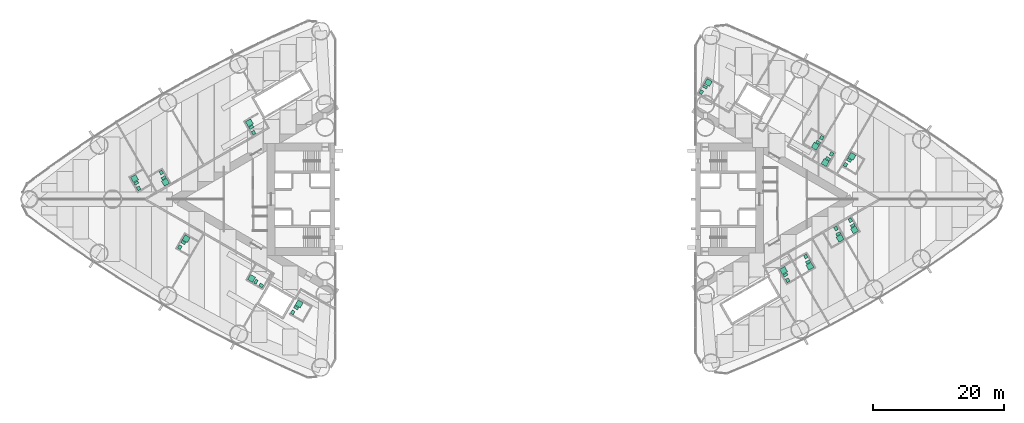
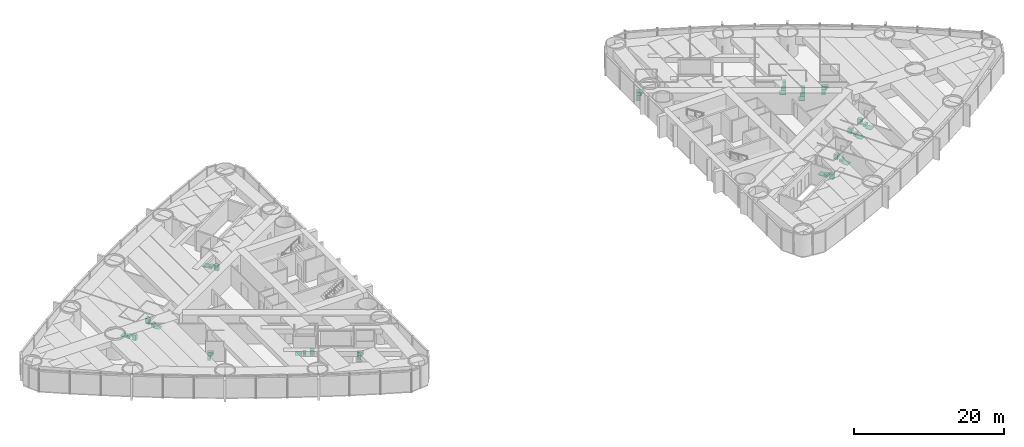
# One storey, part 19 of 19: 18 sanitary terminals.
"""IFC4 building model written with IfcOpenShell, lengths in metres."""

import ifcopenshell
import ifcopenshell.guid

model = None  # the IFC model being written
_history = None  # IfcOwnerHistory: only IFC2X3 demands one
_inside = {}  # id of a spatial element -> (the spatial element, [elements in it])
_under = {}  # id of a project, library or spatial element -> (it, [spatial elements below it])
_declared = {}  # id of a project -> (the project, [libraries it declares])
_typed = {}  # id of a type object -> (the type object, [elements of that type])
_made_of = {}  # id of a material, layer set ... -> (it, [elements and type objects made of it])


def new_model(schema):
    """Start an empty IFC model of exactly this schema.

    Asked for "IFC4X3", IfcOpenShell would pick the latest addendum, in which some entities
    have other attributes; the version numbers below select the first issue.
    IFC2X3 requires an IfcOwnerHistory on every rooted entity: one is made here for all.
    """
    global model, _history
    if schema == "IFC4X3":
        model = ifcopenshell.file(schema_version=(4, 3, 0, 0))
    else:
        model = ifcopenshell.file(schema=schema)
    _inside.clear()
    _under.clear()
    _declared.clear()
    _typed.clear()
    _made_of.clear()
    _history = None
    if model.schema == "IFC2X3":
        org = make("IfcOrganization", Name="unknown")
        user = make(
            "IfcPersonAndOrganization",
            ThePerson=make("IfcPerson", FamilyName="unknown"),
            TheOrganization=org,
        )
        app = make(
            "IfcApplication",
            ApplicationDeveloper=org,
            Version="unknown",
            ApplicationFullName="unknown",
            ApplicationIdentifier="unknown",
        )
        _history = make(
            "IfcOwnerHistory",
            OwningUser=user,
            OwningApplication=app,
            ChangeAction="ADDED",
            CreationDate=0,
        )
    return model


def make(cls, **values):
    """One entity of the class cls with the attributes given. An attribute that is None is left unset."""
    return model.create_entity(
        cls, **{name: value for name, value in values.items() if value is not None}
    )


def rooted(cls, **values):
    """An entity with a GlobalId (a new one), such as an element, a storey or a relation."""
    return make(cls, GlobalId=ifcopenshell.guid.new(), OwnerHistory=_history, **values)


def si_unit(unit_type, name, prefix=None):
    """IfcSIUnit, for example si_unit("LENGTHUNIT", "METRE", prefix="MILLI")."""
    return make("IfcSIUnit", UnitType=unit_type, Prefix=prefix, Name=name)


def assignment(units):
    """IfcUnitAssignment: the units of a project."""
    return None if units is None else make("IfcUnitAssignment", Units=units)


def point(xyz):
    """IfcCartesianPoint."""
    return None if xyz is None else make("IfcCartesianPoint", Coordinates=xyz)


def direction(xyz):
    """IfcDirection."""
    return None if xyz is None else make("IfcDirection", DirectionRatios=xyz)


def frame(location, z_axis=None, x_axis=None):
    """IfcAxis2Placement3D, a coordinate frame: its origin and axes. An axis left out is left unset."""
    return make(
        "IfcAxis2Placement3D",
        Location=point(location),
        Axis=direction(z_axis),
        RefDirection=direction(x_axis),
    )


def frame_2d(location, x_axis=None):
    """IfcAxis2Placement2D, a coordinate frame in the plane: its origin and x axis."""
    return make(
        "IfcAxis2Placement2D", Location=point(location), RefDirection=direction(x_axis)
    )


def origin():
    """The frame at (0, 0, 0) with its axes left unset."""
    return frame((0.0, 0.0, 0.0))


def origin_2d():
    """The frame at (0, 0) in the plane with its x axis left unset."""
    return frame_2d((0.0, 0.0))


def place(relative_to, where):
    """IfcLocalPlacement: puts the frame where relative to a parent placement (None: the world)."""
    return make(
        "IfcLocalPlacement", PlacementRelTo=relative_to, RelativePlacement=where
    )


def context(
    kind, dimensions, precision=None, world=None, true_north=None, identifier=None
):
    """IfcGeometricRepresentationContext, for example the 3D "Model" context."""
    return make(
        "IfcGeometricRepresentationContext",
        ContextIdentifier=identifier,
        ContextType=kind,
        CoordinateSpaceDimension=dimensions,
        Precision=precision,
        WorldCoordinateSystem=world,
        TrueNorth=true_north,
    )


def subcontext(parent, identifier, kind, view, scale=None):
    """IfcGeometricRepresentationSubContext, for example "Body" below "Model"."""
    return make(
        "IfcGeometricRepresentationSubContext",
        ContextIdentifier=identifier,
        ContextType=kind,
        ParentContext=parent,
        TargetScale=scale,
        TargetView=view,
    )


def project(units=None, contexts=None):
    """IfcProject with its units and contexts."""
    return rooted(
        "IfcProject",
        Name="project",
        RepresentationContexts=contexts,
        UnitsInContext=assignment(units),
    )


def spatial(cls, under=None, at=None, **own):
    """A site, building, storey or space (cls), placed at a placement, below another one or the project."""
    s = rooted(cls, ObjectPlacement=at, **own)
    if under is not None:
        _under.setdefault(under.id(), (under, []))[1].append(s)
    return s


def profile(cls, at=None, kind="AREA", **sizes):
    """A parametric profile (cls). Its sizes go by their IFC names, for example OverallWidth=200.0."""
    return make(cls, ProfileType=kind, Position=at, **sizes)


def rectangle(**sizes):
    """IfcRectangleProfileDef."""
    return profile("IfcRectangleProfileDef", **sizes)


def extrude(swept, where, along, depth):
    """IfcExtrudedAreaSolid: the profile swept, set in the frame where, extruded along a direction by depth."""
    return make(
        "IfcExtrudedAreaSolid",
        SweptArea=swept,
        Position=where,
        ExtrudedDirection=direction(along),
        Depth=depth,
    )


def shape(context_of_items, identifier, shape_type, items):
    """IfcShapeRepresentation: the items that make up one representation, for example the "Body"."""
    return make(
        "IfcShapeRepresentation",
        ContextOfItems=context_of_items,
        RepresentationIdentifier=identifier,
        RepresentationType=shape_type,
        Items=items,
    )


def material(Name=None, Category=None):
    """IfcMaterial."""
    return make("IfcMaterial", Name=Name, Category=Category)


def made_of(thing, what):
    """Note that an element or type object is made of a material, layer set ...; save() writes the relation."""
    if what is not None:
        _made_of.setdefault(what.id(), (what, []))[1].append(thing)
    return thing


def type_object(cls, material=None, **own):
    """A type object (cls), such as IfcWallType, which elements share."""
    return made_of(rooted(cls, **own), material)


def element(
    cls,
    number,
    at=None,
    inside=None,
    cuts=None,
    type_object=None,
    material=None,
    context=None,
    identifier="Body",
    shape_type=None,
    held_by="IfcProductDefinitionShape",
    body=None,
    shapes=None,
    **own,
):
    """One element of the class cls, such as IfcWall. Its Tag is "e" and its number.

    at: its placement. inside: the storey or other place that contains it. cuts: it is an
    opening in that element (IfcRelVoidsElement). A single representation is given by context,
    identifier, shape_type and body (its items); several are given by shapes. held_by: the class
    of the entity that holds the representations. save() writes the other relations.
    """
    e = rooted(cls, Tag="e%d" % number, ObjectPlacement=at, **own)
    if body is not None:
        shapes = [shape(context, identifier, shape_type, body)]
    if shapes is not None:
        e.Representation = make(held_by, Representations=shapes)
    if inside is not None:
        _inside.setdefault(inside.id(), (inside, []))[1].append(e)
    if cuts is not None:
        rooted(
            "IfcRelVoidsElement", RelatingBuildingElement=cuts, RelatedOpeningElement=e
        )
    if type_object is not None:
        _typed.setdefault(type_object.id(), (type_object, []))[1].append(e)
    return made_of(e, material)


def aggregate(whole, parts):
    """IfcRelAggregates: a whole, such as a stair, and the parts it consists of."""
    return rooted("IfcRelAggregates", RelatingObject=whole, RelatedObjects=parts)


def save(model, path):
    """Write the relations noted so far, then the file.

    IfcRelAggregates (storeys below a building ...), IfcRelContainedInSpatialStructure (elements
    in a storey), IfcRelDefinesByType, IfcRelAssociatesMaterial and IfcRelDeclares: one each for
    every whole, place, type object, material and project.
    """
    for whole, parts in _under.values():
        aggregate(whole, parts)
    for where, things in _inside.values():
        rooted(
            "IfcRelContainedInSpatialStructure",
            RelatedElements=things,
            RelatingStructure=where,
        )
    for kind, things in _typed.values():
        rooted("IfcRelDefinesByType", RelatedObjects=things, RelatingType=kind)
    for what, things in _made_of.values():
        rooted("IfcRelAssociatesMaterial", RelatedObjects=things, RelatingMaterial=what)
    for by, libraries in _declared.values():
        rooted("IfcRelDeclares", RelatingContext=by, RelatedDefinitions=libraries)
    model.write(path)


model = new_model("IFC4")

# Units and contexts
model_context = context("Model", 3, precision=1e-05, world=origin(), true_north=direction((0.0, 1.0)))
body_context = subcontext(model_context, "Body", "Model", "MODEL_VIEW")
ifc_project = project(units=[si_unit("LENGTHUNIT", "METRE"), si_unit("AREAUNIT", "SQUARE_METRE"), si_unit("VOLUMEUNIT", "CUBIC_METRE"), si_unit("PLANEANGLEUNIT", "RADIAN"), si_unit("MASSUNIT", "GRAM", prefix="KILO")], contexts=[model_context])

# Site, building, storey
site_placement = place(None, origin())
site = spatial("IfcSite", under=ifc_project, at=site_placement, CompositionType="ELEMENT")
building_placement = place(site_placement, origin())
building = spatial("IfcBuilding", under=site, at=building_placement, Name="Lancet Gate Hotel", CompositionType="ELEMENT")
storey_placement = place(building_placement, frame((0.0, 0.0, 35.5)))
storey = spatial("IfcBuildingStorey", under=building, at=storey_placement, Name="L08", CompositionType="ELEMENT", Elevation=35.5)

# Sanitary terminals
ifc_material_1 = material(Name="Vitreous china sanitary ware")
sanitary_terminal_type_1 = type_object("IfcSanitaryTerminalType", Name="En-suite sanitary set (shower, WC, basin)", PredefinedType="USERDEFINED", material=ifc_material_1)
sanitary_terminal_1_placement = place(storey_placement, frame((-53.431396484375, 2.584716796875, 0.0), z_axis=(0.0, 0.0, 1.0), x_axis=(1.0, 0.0, 0.0)))
element("IfcSanitaryTerminal", 1, at=sanitary_terminal_1_placement, inside=storey, type_object=sanitary_terminal_type_1, Name="En-suite sanitary set (shower, WC, basin) 0803", ObjectType="EN-SUITE SANITARY SET", PredefinedType="USERDEFINED", context=body_context, shape_type="SweptSolid", body=[
    extrude(rectangle(XDim=0.89990234375, YDim=0.89990234375, at=origin_2d()), frame((0.0, 0.0, 0.0), z_axis=(0.0, 0.0, 1.0), x_axis=(0.5, -0.866025403784, 0.0)), (0.0, 0.0, 1.0), 0.050048828125),
    extrude(rectangle(XDim=0.39990234375, YDim=0.699951171875, at=origin_2d()), frame((-0.2783203125, 0.682373046875, 0.0), z_axis=(0.0, 0.0, 1.0), x_axis=(0.5, -0.866025403784, 0.0)), (0.0, 0.0, 1.0), 0.39990234375),
    extrude(rectangle(XDim=0.60009765625, YDim=0.5, at=origin_2d()), frame((-0.631591796875, 1.494384765625, 0.0), z_axis=(0.0, 0.0, 1.0), x_axis=(0.5, -0.866025403784, 0.0)), (0.0, 0.0, 1.0), 0.85009765625),
])
sanitary_terminal_2_placement = place(storey_placement, frame((-58.160888671875, 3.156494140625, 0.0), z_axis=(0.0, 0.0, 1.0), x_axis=(1.0, 0.0, 0.0)))
element("IfcSanitaryTerminal", 2, at=sanitary_terminal_2_placement, inside=storey, type_object=sanitary_terminal_type_1, Name="En-suite sanitary set (shower, WC, basin) 0804", ObjectType="EN-SUITE SANITARY SET", PredefinedType="USERDEFINED", context=body_context, shape_type="SweptSolid", body=[
    extrude(rectangle(XDim=0.89990234375, YDim=0.89990234375, at=origin_2d()), frame((0.0, 0.0, 0.0), z_axis=(0.0, 0.0, 1.0), x_axis=(-0.5, 0.866025403784, 0.0)), (0.0, 0.0, 1.0), 0.050048828125),
    extrude(rectangle(XDim=0.39990234375, YDim=0.699951171875, at=origin_2d()), frame((0.278564453125, -0.68212890625, 0.0), z_axis=(0.0, 0.0, 1.0), x_axis=(-0.5, 0.866025403784, 0.0)), (0.0, 0.0, 1.0), 0.39990234375),
    extrude(rectangle(XDim=0.60009765625, YDim=0.5, at=origin_2d()), frame((0.6318359375, -1.494140625, 0.0), z_axis=(0.0, 0.0, 1.0), x_axis=(-0.5, 0.866025403784, 0.0)), (0.0, 0.0, 1.0), 0.85009765625),
])
sanitary_terminal_3_placement = place(storey_placement, frame((-50.26171875, -6.031494140625, 0.0), z_axis=(0.0, 0.0, 1.0), x_axis=(1.0, 0.0, 0.0)))
element("IfcSanitaryTerminal", 3, at=sanitary_terminal_3_placement, inside=storey, type_object=sanitary_terminal_type_1, Name="En-suite sanitary set (shower, WC, basin) 0805", ObjectType="EN-SUITE SANITARY SET", PredefinedType="USERDEFINED", context=body_context, shape_type="SweptSolid", body=[
    extrude(rectangle(XDim=0.89990234375, YDim=0.89990234375, at=origin_2d()), frame((0.0, 0.0, 0.0), z_axis=(0.0, 0.0, 1.0), x_axis=(0.5, 0.866025403784, 0.0)), (0.0, 0.0, 1.0), 0.050048828125),
    extrude(rectangle(XDim=0.39990234375, YDim=0.699951171875, at=origin_2d()), frame((-0.451416015625, -0.58203125, 0.0), z_axis=(0.0, 0.0, 1.0), x_axis=(0.5, 0.866025403784, 0.0)), (0.0, 0.0, 1.0), 0.39990234375),
    extrude(rectangle(XDim=0.60009765625, YDim=0.5, at=origin_2d()), frame((-0.97802734375, -1.294189453125, 0.0), z_axis=(0.0, 0.0, 1.0), x_axis=(0.5, 0.866025403784, 0.0)), (0.0, 0.0, 1.0), 0.85009765625),
])
sanitary_terminal_4_placement = place(storey_placement, frame((-40.609619140625, 11.673095703125, 0.0), z_axis=(0.0, 0.0, 1.0), x_axis=(1.0, 0.0, 0.0)))
element("IfcSanitaryTerminal", 4, at=sanitary_terminal_4_placement, inside=storey, type_object=sanitary_terminal_type_1, Name="En-suite sanitary set (shower, WC, basin) 0802", ObjectType="EN-SUITE SANITARY SET", PredefinedType="USERDEFINED", context=body_context, shape_type="SweptSolid", body=[
    extrude(rectangle(XDim=0.89990234375, YDim=0.89990234375, at=origin_2d()), frame((0.0, 0.0, 0.0), z_axis=(0.0, 0.0, 1.0), x_axis=(-0.5, 0.866025403784, 0.0)), (0.0, 0.0, 1.0), 0.050048828125),
    extrude(rectangle(XDim=0.39990234375, YDim=0.699951171875, at=origin_2d()), frame((0.2783203125, -0.68212890625, 0.0), z_axis=(0.0, 0.0, 1.0), x_axis=(-0.5, 0.866025403784, 0.0)), (0.0, 0.0, 1.0), 0.39990234375),
    extrude(rectangle(XDim=0.60009765625, YDim=0.5, at=origin_2d()), frame((0.6318359375, -1.494140625, 0.0), z_axis=(0.0, 0.0, 1.0), x_axis=(-0.5, 0.866025403784, 0.0)), (0.0, 0.0, 1.0), 0.85009765625),
])
sanitary_terminal_5_placement = place(storey_placement, frame((-33.0107421875, -15.9912109375, 0.0), z_axis=(0.0, 0.0, 1.0), x_axis=(1.0, 0.0, 0.0)))
element("IfcSanitaryTerminal", 5, at=sanitary_terminal_5_placement, inside=storey, type_object=sanitary_terminal_type_1, Name="En-suite sanitary set (shower, WC, basin) 0808", ObjectType="EN-SUITE SANITARY SET", PredefinedType="USERDEFINED", context=body_context, shape_type="SweptSolid", body=[
    extrude(rectangle(XDim=0.89990234375, YDim=0.89990234375, at=origin_2d()), frame((0.0, 0.0, 0.0), z_axis=(0.0, 0.0, 1.0), x_axis=(0.5, 0.866025403784, 0.0)), (0.0, 0.0, 1.0), 0.050048828125),
    extrude(rectangle(XDim=0.39990234375, YDim=0.699951171875, at=origin_2d()), frame((-0.45166015625, -0.582275390625, 0.0), z_axis=(0.0, 0.0, 1.0), x_axis=(0.5, 0.866025403784, 0.0)), (0.0, 0.0, 1.0), 0.39990234375),
    extrude(rectangle(XDim=0.60009765625, YDim=0.5, at=origin_2d()), frame((-0.978271484375, -1.294189453125, 0.0), z_axis=(0.0, 0.0, 1.0), x_axis=(0.5, 0.866025403784, 0.0)), (0.0, 0.0, 1.0), 0.85009765625),
])
for number, where, z_axis, x_axis, name in (
    (6, (45.01220703125, -10.248046875, 0.0), (0.0, 0.0, 1.0), (1.0, 0.0, 0.0), "En-suite sanitary set (shower, WC, basin) 0854"),
    (7, (49.615966796875, -5.973388671875, 0.0), (0.0, 0.0, 1.0), (1.0, 0.0, 0.0), "En-suite sanitary set (shower, WC, basin) 0855"),
):
    element("IfcSanitaryTerminal", number, at=place(storey_placement, frame(where, z_axis=z_axis, x_axis=x_axis)), inside=storey, type_object=sanitary_terminal_type_1, Name=name, ObjectType="EN-SUITE SANITARY SET", PredefinedType="USERDEFINED", context=body_context, shape_type="SweptSolid", body=[
        extrude(rectangle(XDim=0.89990234375, YDim=0.89990234375, at=origin_2d()), frame((0.0, 0.0, 0.0), z_axis=(0.0, 0.0, 1.0), x_axis=(0.5, -0.866025403784, 0.0)), (0.0, 0.0, 1.0), 0.050048828125),
        extrude(rectangle(XDim=0.39990234375, YDim=0.699951171875, at=origin_2d()), frame((-0.278564453125, 0.68212890625, 0.0), z_axis=(0.0, 0.0, 1.0), x_axis=(0.5, -0.866025403784, 0.0)), (0.0, 0.0, 1.0), 0.39990234375),
        extrude(rectangle(XDim=0.60009765625, YDim=0.5, at=origin_2d()), frame((-0.6318359375, 1.494384765625, 0.0), z_axis=(0.0, 0.0, 1.0), x_axis=(0.5, -0.866025403784, 0.0)), (0.0, 0.0, 1.0), 0.85009765625),
    ])
sanitary_terminal_6_placement = place(storey_placement, frame((51.82421875, -4.698486328125, 0.0), z_axis=(0.0, 0.0, 1.0), x_axis=(1.0, 0.0, 0.0)))
element("IfcSanitaryTerminal", 8, at=sanitary_terminal_6_placement, inside=storey, type_object=sanitary_terminal_type_1, Name="En-suite sanitary set (shower, WC, basin) 0856", ObjectType="EN-SUITE SANITARY SET", PredefinedType="USERDEFINED", context=body_context, shape_type="SweptSolid", body=[
    extrude(rectangle(XDim=0.89990234375, YDim=0.89990234375, at=origin_2d()), frame((0.0, 0.0, 0.0), z_axis=(0.0, 0.0, 1.0), x_axis=(0.5, -0.866025403784, 0.0)), (0.0, 0.0, 1.0), 0.050048828125),
    extrude(rectangle(XDim=0.39990234375, YDim=0.699951171875, at=origin_2d()), frame((-0.2783203125, 0.682373046875, 0.0), z_axis=(0.0, 0.0, 1.0), x_axis=(0.5, -0.866025403784, 0.0)), (0.0, 0.0, 1.0), 0.39990234375),
    extrude(rectangle(XDim=0.60009765625, YDim=0.5, at=origin_2d()), frame((-0.6318359375, 1.494384765625, 0.0), z_axis=(0.0, 0.0, 1.0), x_axis=(0.5, -0.866025403784, 0.0)), (0.0, 0.0, 1.0), 0.85009765625),
])
sanitary_terminal_7_placement = place(storey_placement, frame((51.43310546875, 6.541015625, 0.0), z_axis=(0.0, 0.0, 1.0), x_axis=(1.0, 0.0, 0.0)))
element("IfcSanitaryTerminal", 9, at=sanitary_terminal_7_placement, inside=storey, type_object=sanitary_terminal_type_1, Name="En-suite sanitary set (shower, WC, basin) 0858", ObjectType="EN-SUITE SANITARY SET", PredefinedType="USERDEFINED", context=body_context, shape_type="SweptSolid", body=[
    extrude(rectangle(XDim=0.89990234375, YDim=0.89990234375, at=origin_2d()), frame((0.0, 0.0, 0.0), z_axis=(0.0, 0.0, 1.0), x_axis=(0.5, 0.866025403784, 0.0)), (0.0, 0.0, 1.0), 0.050048828125),
    extrude(rectangle(XDim=0.39990234375, YDim=0.699951171875, at=origin_2d()), frame((-0.45166015625, -0.582275390625, 0.0), z_axis=(0.0, 0.0, 1.0), x_axis=(0.5, 0.866025403784, 0.0)), (0.0, 0.0, 1.0), 0.39990234375),
    extrude(rectangle(XDim=0.60009765625, YDim=0.5, at=origin_2d()), frame((-0.978271484375, -1.29443359375, 0.0), z_axis=(0.0, 0.0, 1.0), x_axis=(0.5, 0.866025403784, 0.0)), (0.0, 0.0, 1.0), 0.85009765625),
])
sanitary_terminal_8_placement = place(storey_placement, frame((47.337646484375, 5.602783203125, 0.0), z_axis=(0.0, 0.0, 1.0), x_axis=(1.0, 0.0, 0.0)))
element("IfcSanitaryTerminal", 10, at=sanitary_terminal_8_placement, inside=storey, type_object=sanitary_terminal_type_1, Name="En-suite sanitary set (shower, WC, basin) 0860", ObjectType="EN-SUITE SANITARY SET", PredefinedType="USERDEFINED", context=body_context, shape_type="SweptSolid", body=[
    extrude(rectangle(XDim=0.89990234375, YDim=0.89990234375, at=origin_2d()), frame((0.0, 0.0, 0.0), z_axis=(0.0, 0.0, 1.0), x_axis=(-0.5, -0.866025403784, 0.0)), (0.0, 0.0, 1.0), 0.050048828125),
    extrude(rectangle(XDim=0.39990234375, YDim=0.699951171875, at=origin_2d()), frame((0.45166015625, 0.582275390625, 0.0), z_axis=(0.0, 0.0, 1.0), x_axis=(-0.5, -0.866025403784, 0.0)), (0.0, 0.0, 1.0), 0.39990234375),
    extrude(rectangle(XDim=0.60009765625, YDim=0.5, at=origin_2d()), frame((0.978271484375, 1.29443359375, 0.0), z_axis=(0.0, 0.0, 1.0), x_axis=(-0.5, -0.866025403784, 0.0)), (0.0, 0.0, 1.0), 0.85009765625),
])
sanitary_terminal_9_placement = place(storey_placement, frame((45.829345703125, 8.09033203125, 0.0), z_axis=(0.0, 0.0, 1.0), x_axis=(1.0, 0.0, 0.0)))
element("IfcSanitaryTerminal", 11, at=sanitary_terminal_9_placement, inside=storey, type_object=sanitary_terminal_type_1, Name="En-suite sanitary set (shower, WC, basin) 0861", ObjectType="EN-SUITE SANITARY SET", PredefinedType="USERDEFINED", context=body_context, shape_type="SweptSolid", body=[
    extrude(rectangle(XDim=0.89990234375, YDim=0.89990234375, at=origin_2d()), frame((0.0, 0.0, 0.0), z_axis=(0.0, 0.0, 1.0), x_axis=(-0.5, -0.866025403784, 0.0)), (0.0, 0.0, 1.0), 0.050048828125),
    extrude(rectangle(XDim=0.39990234375, YDim=0.699951171875, at=origin_2d()), frame((0.45166015625, 0.582275390625, 0.0), z_axis=(0.0, 0.0, 1.0), x_axis=(-0.5, -0.866025403784, 0.0)), (0.0, 0.0, 1.0), 0.39990234375),
    extrude(rectangle(XDim=0.60009765625, YDim=0.5, at=origin_2d()), frame((0.978271484375, 1.294189453125, 0.0), z_axis=(0.0, 0.0, 1.0), x_axis=(-0.5, -0.866025403784, 0.0)), (0.0, 0.0, 1.0), 0.85009765625),
])
sanitary_terminal_10_placement = place(storey_placement, frame((40.982666015625, -10.888671875, 0.0), z_axis=(0.0, 0.0, 1.0), x_axis=(1.0, 0.0, 0.0)))
element("IfcSanitaryTerminal", 12, at=sanitary_terminal_10_placement, inside=storey, type_object=sanitary_terminal_type_1, Name="En-suite sanitary set (shower, WC, basin) 0853", ObjectType="EN-SUITE SANITARY SET", PredefinedType="USERDEFINED", context=body_context, shape_type="SweptSolid", body=[
    extrude(rectangle(XDim=0.89990234375, YDim=0.89990234375, at=origin_2d()), frame((0.0, 0.0, 0.0), z_axis=(0.0, 0.0, 1.0), x_axis=(-0.5, 0.866025403784, 0.0)), (0.0, 0.0, 1.0), 0.050048828125),
    extrude(rectangle(XDim=0.39990234375, YDim=0.699951171875, at=origin_2d()), frame((0.2783203125, -0.68212890625, 0.0), z_axis=(0.0, 0.0, 1.0), x_axis=(-0.5, 0.866025403784, 0.0)), (0.0, 0.0, 1.0), 0.39990234375),
    extrude(rectangle(XDim=0.60009765625, YDim=0.5, at=origin_2d()), frame((0.6318359375, -1.494140625, 0.0), z_axis=(0.0, 0.0, 1.0), x_axis=(-0.5, 0.866025403784, 0.0)), (0.0, 0.0, 1.0), 0.85009765625),
])
ifc_material_2 = material(Name="Stone resin shower tray", Category="masonry")
sanitary_terminal_type_2 = type_object("IfcSanitaryTerminalType", Name="Shower tray 900", PredefinedType="SHOWER", material=ifc_material_2)
for number, where, z_axis, x_axis, name in (
    (13, (-40.2763671875, -12.0966796875, 0.0), (0.0, 0.0, 1.0), (-0.866025403784, 0.5, 0.0), "Shower tray 900 0807"),
    (14, (29.490478515625, 17.82373046875, 0.0), (0.0, 0.0, 1.0), (0.5, 0.866025403784, 0.0), "Shower tray 900 0864"),
):
    element("IfcSanitaryTerminal", number, at=place(storey_placement, frame(where, z_axis=z_axis, x_axis=x_axis)), inside=storey, type_object=sanitary_terminal_type_2, Name=name, PredefinedType="SHOWER", context=body_context, shape_type="SweptSolid", body=[
        extrude(rectangle(XDim=0.89990234375, YDim=0.89990234375, at=origin_2d()), origin(), (0.0, 0.0, 1.0), 0.050048828125),
    ])
ifc_material_3 = material(Name="Vitreous china sanitary ware")
sanitary_terminal_type_3 = type_object("IfcSanitaryTerminalType", Name="Vanity basin 600", PredefinedType="WASHHANDBASIN", material=ifc_material_3)
for number, where, z_axis, x_axis, name in (
    (15, (-38.808837890625, -13.1748046875, 0.0), (0.0, 0.0, 1.0), (-0.866025403784, 0.5, 0.0), "Vanity basin 600 0807"),
    (16, (28.412353515625, 16.356201171875, 0.0), (0.0, 0.0, 1.0), (0.5, 0.866025403784, 0.0), "Vanity basin 600 0864"),
):
    element("IfcSanitaryTerminal", number, at=place(storey_placement, frame(where, z_axis=z_axis, x_axis=x_axis)), inside=storey, type_object=sanitary_terminal_type_3, Name=name, PredefinedType="WASHHANDBASIN", context=body_context, shape_type="SweptSolid", body=[
        extrude(rectangle(XDim=0.60009765625, YDim=0.5, at=origin_2d()), origin(), (0.0, 0.0, 1.0), 0.85009765625),
    ])
ifc_material_4 = material(Name="Vitreous china sanitary ware")
sanitary_terminal_type_4 = type_object("IfcSanitaryTerminalType", Name="WC pan wall hung", PredefinedType="TOILETPAN", material=ifc_material_4)
for number, where, z_axis, x_axis, name in (
    (17, (-39.607421875, -12.59814453125, 0.0), (0.0, 0.0, 1.0), (-0.866025403784, 0.5, 0.0), "WC pan wall hung 0807"),
    (18, (28.989013671875, 17.155029296875, 0.0), (0.0, 0.0, 1.0), (0.5, 0.866025403784, 0.0), "WC pan wall hung 0864"),
):
    element("IfcSanitaryTerminal", number, at=place(storey_placement, frame(where, z_axis=z_axis, x_axis=x_axis)), inside=storey, type_object=sanitary_terminal_type_4, Name=name, PredefinedType="TOILETPAN", context=body_context, shape_type="SweptSolid", body=[
        extrude(rectangle(XDim=0.39990234375, YDim=0.699951171875, at=origin_2d()), origin(), (0.0, 0.0, 1.0), 0.39990234375),
    ])

save(model, "model.ifc")
